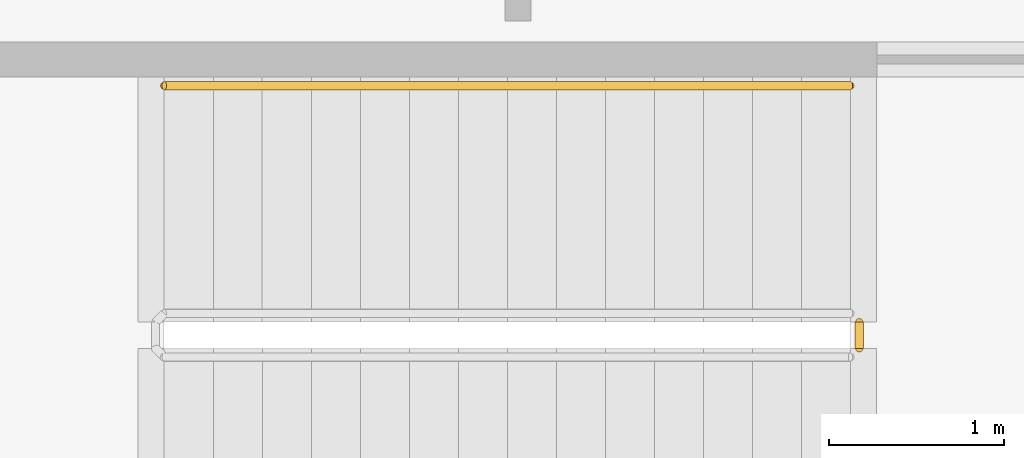
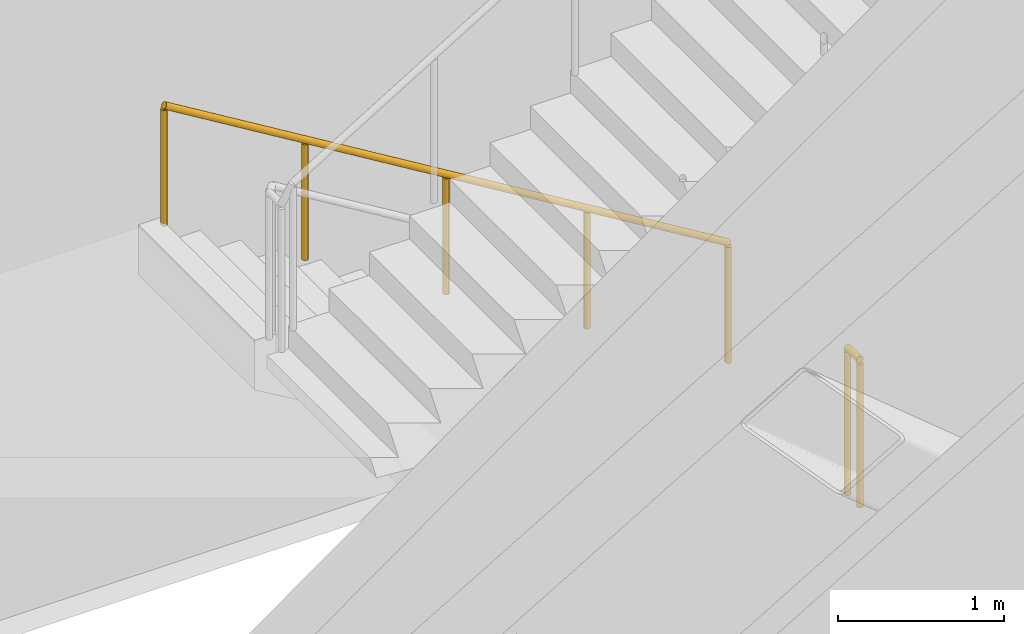
# One storey, part 20 of 23: 2 railings.
"""IFC4 building model written with IfcOpenShell, lengths in metres."""

import ifcopenshell
import ifcopenshell.guid

model = None  # the IFC model being written
_history = None  # IfcOwnerHistory: only IFC2X3 demands one
_inside = {}  # id of a spatial element -> (the spatial element, [elements in it])
_under = {}  # id of a project, library or spatial element -> (it, [spatial elements below it])
_declared = {}  # id of a project -> (the project, [libraries it declares])
_typed = {}  # id of a type object -> (the type object, [elements of that type])
_made_of = {}  # id of a material, layer set ... -> (it, [elements and type objects made of it])


def new_model(schema):
    """Start an empty IFC model of exactly this schema.

    Asked for "IFC4X3", IfcOpenShell would pick the latest addendum, in which some entities
    have other attributes; the version numbers below select the first issue.
    IFC2X3 requires an IfcOwnerHistory on every rooted entity: one is made here for all.
    """
    global model, _history
    if schema == "IFC4X3":
        model = ifcopenshell.file(schema_version=(4, 3, 0, 0))
    else:
        model = ifcopenshell.file(schema=schema)
    _inside.clear()
    _under.clear()
    _declared.clear()
    _typed.clear()
    _made_of.clear()
    _history = None
    if model.schema == "IFC2X3":
        org = make("IfcOrganization", Name="unknown")
        user = make(
            "IfcPersonAndOrganization",
            ThePerson=make("IfcPerson", FamilyName="unknown"),
            TheOrganization=org,
        )
        app = make(
            "IfcApplication",
            ApplicationDeveloper=org,
            Version="unknown",
            ApplicationFullName="unknown",
            ApplicationIdentifier="unknown",
        )
        _history = make(
            "IfcOwnerHistory",
            OwningUser=user,
            OwningApplication=app,
            ChangeAction="ADDED",
            CreationDate=0,
        )
    return model


def make(cls, **values):
    """One entity of the class cls with the attributes given. An attribute that is None is left unset."""
    return model.create_entity(
        cls, **{name: value for name, value in values.items() if value is not None}
    )


def rooted(cls, **values):
    """An entity with a GlobalId (a new one), such as an element, a storey or a relation."""
    return make(cls, GlobalId=ifcopenshell.guid.new(), OwnerHistory=_history, **values)


def si_unit(unit_type, name, prefix=None):
    """IfcSIUnit, for example si_unit("LENGTHUNIT", "METRE", prefix="MILLI")."""
    return make("IfcSIUnit", UnitType=unit_type, Prefix=prefix, Name=name)


def assignment(units):
    """IfcUnitAssignment: the units of a project."""
    return None if units is None else make("IfcUnitAssignment", Units=units)


def point(xyz):
    """IfcCartesianPoint."""
    return None if xyz is None else make("IfcCartesianPoint", Coordinates=xyz)


def direction(xyz):
    """IfcDirection."""
    return None if xyz is None else make("IfcDirection", DirectionRatios=xyz)


def frame(location, z_axis=None, x_axis=None):
    """IfcAxis2Placement3D, a coordinate frame: its origin and axes. An axis left out is left unset."""
    return make(
        "IfcAxis2Placement3D",
        Location=point(location),
        Axis=direction(z_axis),
        RefDirection=direction(x_axis),
    )


def frame_2d(location, x_axis=None):
    """IfcAxis2Placement2D, a coordinate frame in the plane: its origin and x axis."""
    return make(
        "IfcAxis2Placement2D", Location=point(location), RefDirection=direction(x_axis)
    )


def origin():
    """The frame at (0, 0, 0) with its axes left unset."""
    return frame((0.0, 0.0, 0.0))


def origin_2d():
    """The frame at (0, 0) in the plane with its x axis left unset."""
    return frame_2d((0.0, 0.0))


def place(relative_to, where):
    """IfcLocalPlacement: puts the frame where relative to a parent placement (None: the world)."""
    return make(
        "IfcLocalPlacement", PlacementRelTo=relative_to, RelativePlacement=where
    )


def context(
    kind, dimensions, precision=None, world=None, true_north=None, identifier=None
):
    """IfcGeometricRepresentationContext, for example the 3D "Model" context."""
    return make(
        "IfcGeometricRepresentationContext",
        ContextIdentifier=identifier,
        ContextType=kind,
        CoordinateSpaceDimension=dimensions,
        Precision=precision,
        WorldCoordinateSystem=world,
        TrueNorth=true_north,
    )


def subcontext(parent, identifier, kind, view, scale=None):
    """IfcGeometricRepresentationSubContext, for example "Body" below "Model"."""
    return make(
        "IfcGeometricRepresentationSubContext",
        ContextIdentifier=identifier,
        ContextType=kind,
        ParentContext=parent,
        TargetScale=scale,
        TargetView=view,
    )


def project(units=None, contexts=None):
    """IfcProject with its units and contexts."""
    return rooted(
        "IfcProject",
        Name="project",
        RepresentationContexts=contexts,
        UnitsInContext=assignment(units),
    )


def spatial(cls, under=None, at=None, **own):
    """A site, building, storey or space (cls), placed at a placement, below another one or the project."""
    s = rooted(cls, ObjectPlacement=at, **own)
    if under is not None:
        _under.setdefault(under.id(), (under, []))[1].append(s)
    return s


def profile(cls, at=None, kind="AREA", **sizes):
    """A parametric profile (cls). Its sizes go by their IFC names, for example OverallWidth=200.0."""
    return make(cls, ProfileType=kind, Position=at, **sizes)


def circle(**sizes):
    """IfcCircleProfileDef."""
    return profile("IfcCircleProfileDef", **sizes)


def extrude(swept, where, along, depth):
    """IfcExtrudedAreaSolid: the profile swept, set in the frame where, extruded along a direction by depth."""
    return make(
        "IfcExtrudedAreaSolid",
        SweptArea=swept,
        Position=where,
        ExtrudedDirection=direction(along),
        Depth=depth,
    )


def shape(context_of_items, identifier, shape_type, items):
    """IfcShapeRepresentation: the items that make up one representation, for example the "Body"."""
    return make(
        "IfcShapeRepresentation",
        ContextOfItems=context_of_items,
        RepresentationIdentifier=identifier,
        RepresentationType=shape_type,
        Items=items,
    )


def material(Name=None, Category=None):
    """IfcMaterial."""
    return make("IfcMaterial", Name=Name, Category=Category)


def made_of(thing, what):
    """Note that an element or type object is made of a material, layer set ...; save() writes the relation."""
    if what is not None:
        _made_of.setdefault(what.id(), (what, []))[1].append(thing)
    return thing


def type_object(cls, material=None, **own):
    """A type object (cls), such as IfcWallType, which elements share."""
    return made_of(rooted(cls, **own), material)


def element(
    cls,
    number,
    at=None,
    inside=None,
    cuts=None,
    type_object=None,
    material=None,
    context=None,
    identifier="Body",
    shape_type=None,
    held_by="IfcProductDefinitionShape",
    body=None,
    shapes=None,
    **own,
):
    """One element of the class cls, such as IfcWall. Its Tag is "e" and its number.

    at: its placement. inside: the storey or other place that contains it. cuts: it is an
    opening in that element (IfcRelVoidsElement). A single representation is given by context,
    identifier, shape_type and body (its items); several are given by shapes. held_by: the class
    of the entity that holds the representations. save() writes the other relations.
    """
    e = rooted(cls, Tag="e%d" % number, ObjectPlacement=at, **own)
    if body is not None:
        shapes = [shape(context, identifier, shape_type, body)]
    if shapes is not None:
        e.Representation = make(held_by, Representations=shapes)
    if inside is not None:
        _inside.setdefault(inside.id(), (inside, []))[1].append(e)
    if cuts is not None:
        rooted(
            "IfcRelVoidsElement", RelatingBuildingElement=cuts, RelatedOpeningElement=e
        )
    if type_object is not None:
        _typed.setdefault(type_object.id(), (type_object, []))[1].append(e)
    return made_of(e, material)


def aggregate(whole, parts):
    """IfcRelAggregates: a whole, such as a stair, and the parts it consists of."""
    return rooted("IfcRelAggregates", RelatingObject=whole, RelatedObjects=parts)


def save(model, path):
    """Write the relations noted so far, then the file.

    IfcRelAggregates (storeys below a building ...), IfcRelContainedInSpatialStructure (elements
    in a storey), IfcRelDefinesByType, IfcRelAssociatesMaterial and IfcRelDeclares: one each for
    every whole, place, type object, material and project.
    """
    for whole, parts in _under.values():
        aggregate(whole, parts)
    for where, things in _inside.values():
        rooted(
            "IfcRelContainedInSpatialStructure",
            RelatedElements=things,
            RelatingStructure=where,
        )
    for kind, things in _typed.values():
        rooted("IfcRelDefinesByType", RelatedObjects=things, RelatingType=kind)
    for what, things in _made_of.values():
        rooted("IfcRelAssociatesMaterial", RelatedObjects=things, RelatingMaterial=what)
    for by, libraries in _declared.values():
        rooted("IfcRelDeclares", RelatingContext=by, RelatedDefinitions=libraries)
    model.write(path)


model = new_model("IFC4")

# Units and contexts
model_context = context("Model", 3, precision=1e-05, world=origin(), true_north=direction((0.0, 1.0)))
body_context = subcontext(model_context, "Body", "Model", "MODEL_VIEW")
ifc_project = project(units=[si_unit("LENGTHUNIT", "METRE"), si_unit("AREAUNIT", "SQUARE_METRE"), si_unit("VOLUMEUNIT", "CUBIC_METRE"), si_unit("PLANEANGLEUNIT", "RADIAN"), si_unit("MASSUNIT", "GRAM", prefix="KILO")], contexts=[model_context])

# Site, building, storey
site_placement = place(None, origin())
site = spatial("IfcSite", under=ifc_project, at=site_placement, CompositionType="ELEMENT")
building_placement = place(site_placement, origin())
building = spatial("IfcBuilding", under=site, at=building_placement, Name="Kheshtan School and Residences Tower", CompositionType="ELEMENT")
storey_placement = place(building_placement, frame((0.0, 0.0, 211.10009765625)))
storey = spatial("IfcBuildingStorey", under=building, at=storey_placement, Name="L49", CompositionType="ELEMENT", Elevation=211.10009765625)

# Railings
ifc_material_1 = material(Name="Stainless steel balustrade", Category="steel")
railing_type_1 = type_object("IfcRailingType", Name="Stair guard 1100", PredefinedType="GUARDRAIL", material=ifc_material_1)
railing_1_placement = place(storey_placement, frame((78.4599609375, 24.39990234375, 0.0)))
element("IfcRailing", 1, at=railing_1_placement, inside=storey, type_object=railing_type_1, Name="L49 ST5 stair guard 2", PredefinedType="GUARDRAIL", context=body_context, shape_type="SweptSolid", body=[
    extrude(circle(Radius=0.02392578125, at=origin_2d()), frame((0.0, 0.0, 1.076171875), z_axis=(0.0, -1.0, 0.0), x_axis=(1.0, 0.0, 0.0)), (0.0, 0.0, 1.0), 0.14990234375),
    extrude(circle(Radius=0.02099609375, at=origin_2d()), origin(), (0.0, 0.0, 1.0), 1.052001953125),
    extrude(circle(Radius=0.02099609375, at=origin_2d()), frame((0.0, -0.14990234375, 0.0)), (0.0, 0.0, 1.0), 1.052001953125),
])
ifc_material_2 = material(Name="Stainless steel handrail", Category="steel")
railing_type_2 = type_object("IfcRailingType", Name="Stair handrail 900", PredefinedType="HANDRAIL", material=ifc_material_2)
railing_2_placement = place(storey_placement, frame((78.409912109375, 25.75, 0.169921875)))
element("IfcRailing", 2, at=railing_2_placement, inside=storey, type_object=railing_type_2, Name="L49 ST5 stair handrail 1", PredefinedType="HANDRAIL", context=body_context, shape_type="SweptSolid", body=[
    extrude(circle(Radius=0.02392578125, at=origin_2d()), frame((0.0, 0.0, 0.8759765625), z_axis=(-0.854794262968, 0.0, 0.518967020143), x_axis=(0.0, -1.0, 0.0)), (0.0, 0.0, 1.0), 4.585693359375),
    extrude(circle(Radius=0.02099609375, at=origin_2d()), origin(), (0.0, 0.0, 1.0), 0.851806640625),
    extrude(circle(Radius=0.02099609375, at=origin_2d()), frame((-0.97998046875, 0.0, 0.594970703125)), (0.0, 0.0, 1.0), 0.851806640625),
    extrude(circle(Radius=0.02099609375, at=origin_2d()), frame((-1.9599609375, 0.0, 1.18994140625)), (0.0, 0.0, 1.0), 0.851806640625),
    extrude(circle(Radius=0.02099609375, at=origin_2d()), frame((-2.93994140625, 0.0, 1.784912109375)), (0.0, 0.0, 1.0), 0.851806640625),
    extrude(circle(Radius=0.02099609375, at=origin_2d()), frame((-3.919921875, 0.0, 2.3798828125)), (0.0, 0.0, 1.0), 0.851806640625),
])

save(model, "model.ifc")
